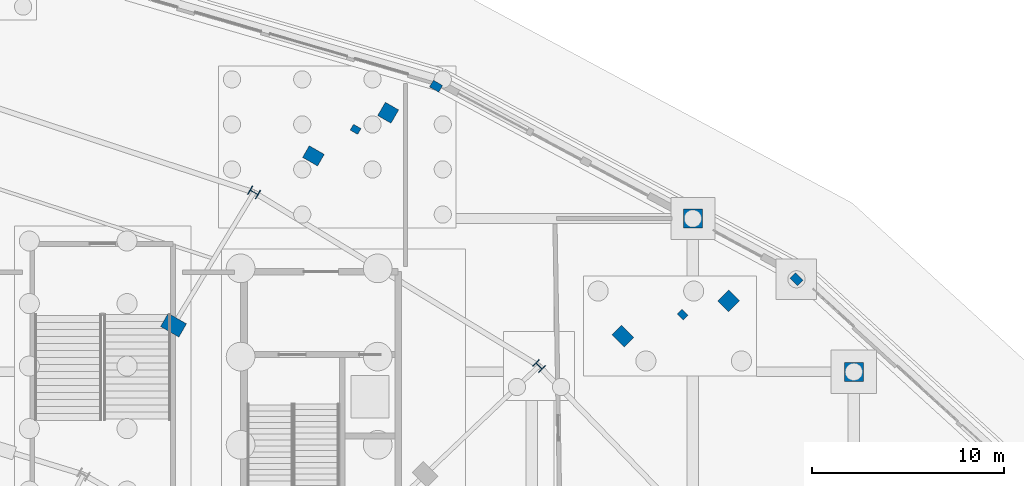
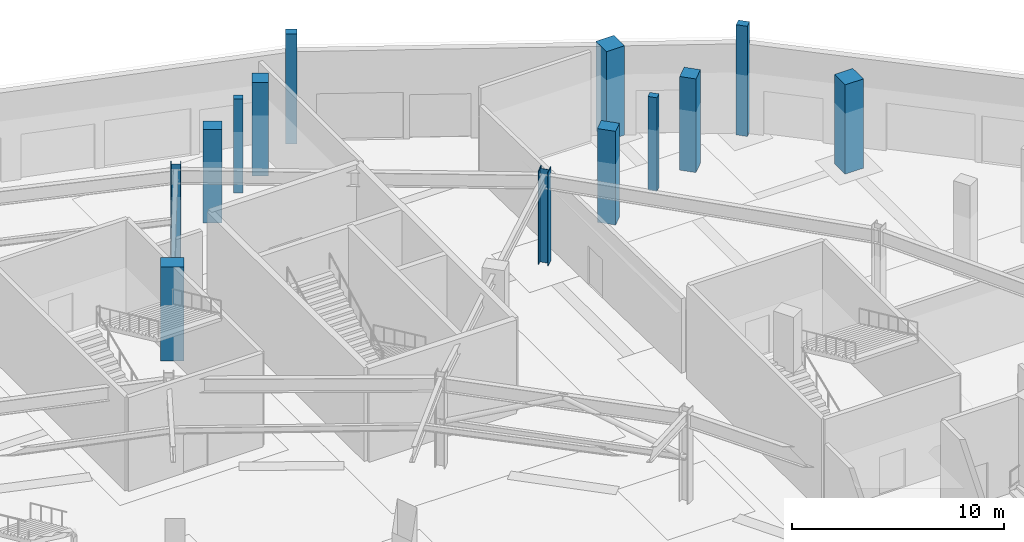
# One storey, part 32 of 93: 13 columns.
"""IFC4 building model written with IfcOpenShell, lengths in metres."""

from ifc_helpers import new_model, si_unit, direction, frame, origin, origin_2d, place, context, subcontext, project, spatial, rectangle, i_section, extrude, material, material_profile, profile_set, type_object, element, save


model = new_model("IFC4")

# Units and contexts
model_context = context("Model", 3, precision=1e-05, world=origin(), true_north=direction((0.0, 1.0)))
body_context = subcontext(model_context, "Body", "Model", "MODEL_VIEW")
ifc_project = project(units=[si_unit("LENGTHUNIT", "METRE"), si_unit("AREAUNIT", "SQUARE_METRE"), si_unit("VOLUMEUNIT", "CUBIC_METRE"), si_unit("PLANEANGLEUNIT", "RADIAN"), si_unit("MASSUNIT", "GRAM", prefix="KILO")], contexts=[model_context])

# Site, building, storey
site_placement = place(None, origin())
site = spatial("IfcSite", under=ifc_project, at=site_placement, CompositionType="ELEMENT")
building_placement = place(site_placement, origin())
building = spatial("IfcBuilding", under=site, at=building_placement, Name="Kalgoora Escarpment Arena", CompositionType="ELEMENT")
storey_placement = place(building_placement, origin())
storey = spatial("IfcBuildingStorey", under=building, at=storey_placement, Name="L00", CompositionType="ELEMENT", Elevation=0.0)

# Columns
ifc_material_1 = material(Name="Structural steel Grade 350 (350 MPa)", Category="steel")
ifc_material_profile_1 = material_profile(ifc_material_1, i_section(OverallWidth=0.5, OverallDepth=0.5, WebThickness=0.02001953125, FlangeThickness=0.034912109375, at=origin_2d()))
ifc_profile_set_1 = profile_set([ifc_material_profile_1], Name="Structural steel Grade 350 (350 MPa)")
column_type_1 = type_object("IfcColumnType", Name="COL-COL-500WC340", PredefinedType="COLUMN", material=ifc_profile_set_1)
for number, where, z_axis, x_axis, name in (
    (1, (143.17041015625, 104.30517578125, 0.0), (0.0, 0.0, 1.0), (0.707106781187, 0.707106781187, 0.0), "L00 structural column COL-RCONC2-R04"),
    (2, (128.300048828125, 113.36328125, 0.0), (0.0, 0.0, 1.0), (0.5, 0.866025403784, 0.0), "L00 structural column COL-RCONC2-R05"),
):
    element("IfcColumn", number, at=place(storey_placement, frame(where, z_axis=z_axis, x_axis=x_axis)), inside=storey, type_object=column_type_1, Name=name, PredefinedType="COLUMN", context=body_context, shape_type="SweptSolid", body=[
        extrude(i_section(OverallWidth=0.5, OverallDepth=0.5, WebThickness=0.02001953125, FlangeThickness=0.034912109375, at=origin_2d()), origin(), (0.0, 0.0, 1.0), 5.39990234375),
    ])
ifc_material_2 = material(Name="Concrete N50 (fc' 50 MPa)", Category="concrete")
ifc_material_profile_2 = material_profile(ifc_material_2, rectangle(XDim=1.0, YDim=1.0, at=origin_2d()))
ifc_profile_set_2 = profile_set([ifc_material_profile_2], Name="Concrete N50 (fc' 50 MPa)")
column_type_2 = type_object("IfcColumnType", Name="COL-COL-RC1000x1000", PredefinedType="COLUMN", material=ifc_profile_set_2)
for number, where, z_axis, x_axis, name in (
    (3, (151.199951171875, 112.0, 0.0), (0.0, 0.0, 1.0), (1.0, 0.0, 0.0), "L00 structural column COL-G19-Q"),
    (4, (159.60009765625, 104.0, 0.0), (0.0, 0.0, 1.0), (1.0, 0.0, 0.0), "L00 structural column COL-G20-P"),
):
    element("IfcColumn", number, at=place(storey_placement, frame(where, z_axis=z_axis, x_axis=x_axis)), inside=storey, type_object=column_type_2, Name=name, PredefinedType="COLUMN", context=body_context, shape_type="SweptSolid", body=[
        extrude(rectangle(XDim=1.0, YDim=1.0, at=origin_2d()), origin(), (0.0, 0.0, 1.0), 5.14990234375),
    ])
ifc_material_3 = material(Name="Concrete N50 (fc' 50 MPa)", Category="concrete")
ifc_material_profile_3 = material_profile(ifc_material_3, rectangle(XDim=0.800048828125, YDim=1.10009765625, at=origin_2d()))
ifc_profile_set_3 = profile_set([ifc_material_profile_3], Name="Concrete N50 (fc' 50 MPa)")
column_type_3 = type_object("IfcColumnType", Name="COL-COL-RC1100x800", PredefinedType="COLUMN", material=ifc_profile_set_3)
column_placement = place(storey_placement, frame((124.10009765625, 106.435302734375, 0.0), z_axis=(0.0, 0.0, 1.0), x_axis=(0.5, 0.866025403784, 0.0)))
element("IfcColumn", 5, at=column_placement, inside=storey, type_object=column_type_3, Name="L00 structural column COL-RCONC1-R05", PredefinedType="COLUMN", context=body_context, shape_type="SweptSolid", body=[
    extrude(rectangle(XDim=0.800048828125, YDim=1.10009765625, at=origin_2d()), origin(), (0.0, 0.0, 1.0), 5.39990234375),
])
ifc_material_4 = material(Name="Concrete N50 (fc' 50 MPa)", Category="concrete")
ifc_material_profile_4 = material_profile(ifc_material_4, rectangle(XDim=0.800048828125, YDim=0.800048828125, at=origin_2d()))
ifc_profile_set_4 = profile_set([ifc_material_profile_4], Name="Concrete N50 (fc' 50 MPa)")
column_type_4 = type_object("IfcColumnType", Name="COL-COL-RC800x800", PredefinedType="COLUMN", material=ifc_profile_set_4)
for number, where, z_axis, x_axis, name in (
    (6, (153.06982421875, 107.69921875, 0.0), (0.0, 0.0, 1.0), (0.707106781187, 0.707106781187, 0.0), "L00 structural column COL-RBASE2-R04"),
    (7, (135.300048828125, 117.5205078125, 0.0), (0.0, 0.0, 1.0), (0.5, 0.866025403784, 0.0), "L00 structural column COL-RBASE2-R05"),
):
    element("IfcColumn", number, at=place(storey_placement, frame(where, z_axis=z_axis, x_axis=x_axis)), inside=storey, type_object=column_type_4, Name=name, PredefinedType="COLUMN", context=body_context, shape_type="SweptSolid", body=[
        extrude(rectangle(XDim=0.800048828125, YDim=0.800048828125, at=origin_2d()), origin(), (0.0, 0.0, 1.0), 5.39990234375),
    ])
ifc_material_5 = material(Name="Concrete N50 (fc' 50 MPa)", Category="concrete")
ifc_material_profile_5 = material_profile(ifc_material_5, rectangle(XDim=0.699951171875, YDim=0.89990234375, at=origin_2d()))
ifc_profile_set_5 = profile_set([ifc_material_profile_5], Name="Concrete N50 (fc' 50 MPa)")
column_type_5 = type_object("IfcColumnType", Name="COL-COL-RC900x700", PredefinedType="COLUMN", material=ifc_profile_set_5)
for number, where, z_axis, x_axis, name in (
    (8, (147.55419921875, 105.860595703125, 0.0), (0.0, 0.0, 1.0), (0.707106781187, 0.707106781187, 0.0), "L00 structural column COL-RBASE1-R04"),
    (9, (131.39990234375, 115.268798828125, 0.0), (0.0, 0.0, 1.0), (0.5, 0.866025403784, 0.0), "L00 structural column COL-RBASE1-R05"),
):
    element("IfcColumn", number, at=place(storey_placement, frame(where, z_axis=z_axis, x_axis=x_axis)), inside=storey, type_object=column_type_5, Name=name, PredefinedType="COLUMN", context=body_context, shape_type="SweptSolid", body=[
        extrude(rectangle(XDim=0.699951171875, YDim=0.89990234375, at=origin_2d()), origin(), (0.0, 0.0, 1.0), 5.39990234375),
    ])
ifc_material_6 = material(Name="Precast concrete N50 (fc' 50 MPa)", Category="concrete")
ifc_material_profile_6 = material_profile(ifc_material_6, rectangle(XDim=0.35009765625, YDim=0.449951171875, at=origin_2d()))
ifc_profile_set_6 = profile_set([ifc_material_profile_6], Name="Precast concrete N50 (fc' 50 MPa)")
column_type_6 = type_object("IfcColumnType", Name="COL-PIL-PC-PILASTER-450x350", PredefinedType="PILASTER", material=ifc_profile_set_6)
for number, where, z_axis, x_axis, name in (
    (10, (150.666015625, 106.991943359375, 0.0), (0.0, 0.0, 1.0), (0.707106781187, 0.707106781187, 0.0), "L00 fluted pilaster PIL-049"),
    (11, (133.60009765625, 116.654052734375, 0.0), (0.0, 0.0, 1.0), (0.5, 0.866025403784, 0.0), "L00 fluted pilaster PIL-050"),
):
    element("IfcColumn", number, at=place(storey_placement, frame(where, z_axis=z_axis, x_axis=x_axis)), inside=storey, type_object=column_type_6, Name=name, PredefinedType="PILASTER", context=body_context, shape_type="SweptSolid", body=[
        extrude(rectangle(XDim=0.35009765625, YDim=0.449951171875, at=origin_2d()), origin(), (0.0, 0.0, 1.0), 5.39990234375),
    ])
ifc_material_7 = material(Name="Precast concrete N50 (fc' 50 MPa)", Category="concrete")
ifc_material_profile_7 = material_profile(ifc_material_7, rectangle(XDim=0.39990234375, YDim=0.550048828125, at=origin_2d()))
ifc_profile_set_7 = profile_set([ifc_material_profile_7], Name="Precast concrete N50 (fc' 50 MPa)")
column_type_7 = type_object("IfcColumnType", Name="COL-PIL-PC-PILASTER-550x400", PredefinedType="PILASTER", material=ifc_profile_set_7)
for number, where, z_axis, x_axis, name in (
    (12, (156.60498046875, 108.8310546875, 0.0), (0.0, 0.0, 1.0), (0.707106781187, 0.707106781187, 0.0), "L00 fluted pilaster PIL-025"),
    (13, (137.800048828125, 118.906005859375, 0.0), (0.0, 0.0, 1.0), (0.5, 0.866025403784, 0.0), "L00 fluted pilaster PIL-026"),
):
    element("IfcColumn", number, at=place(storey_placement, frame(where, z_axis=z_axis, x_axis=x_axis)), inside=storey, type_object=column_type_7, Name=name, PredefinedType="PILASTER", context=body_context, shape_type="SweptSolid", body=[
        extrude(rectangle(XDim=0.39990234375, YDim=0.550048828125, at=origin_2d()), origin(), (0.0, 0.0, 1.0), 6.35009765625),
    ])

save(model, "model.ifc")
